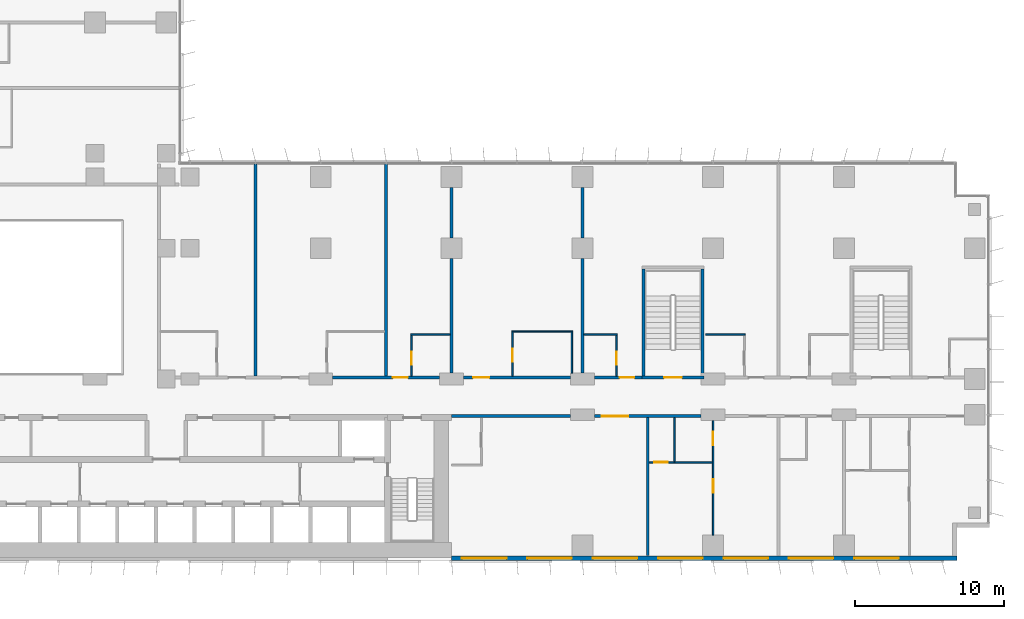
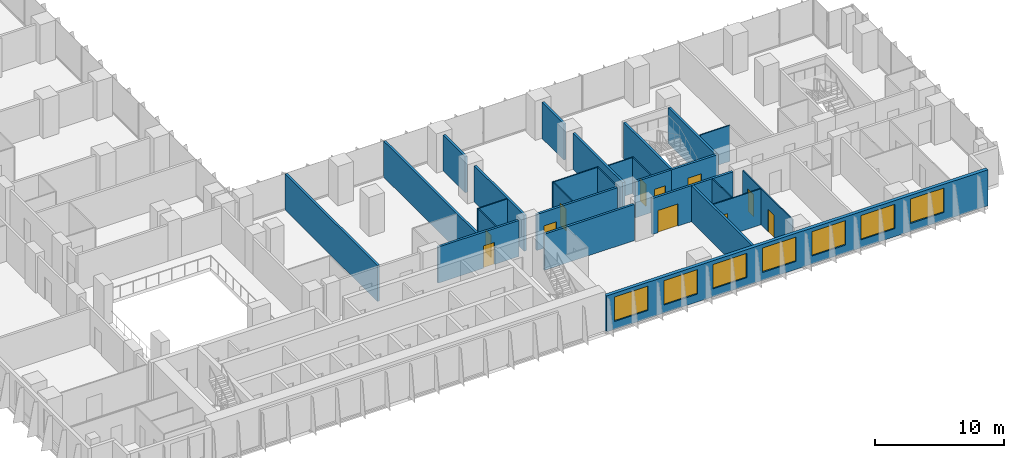
# One storey, part 14 of 24: 27 walls, 11 doors, 7 windows, 18 openings.
"""IFC4 building model written with IfcOpenShell, lengths in metres."""

from ifc_helpers import new_model, si_unit, direction, frame, frame_2d, origin, place, context, subcontext, project, spatial, rectangle, extrude, material, layer, layer_set, type_object, element, fill, save


model = new_model("IFC4")

# Units and contexts
model_context = context("Model", 3, precision=1e-05, world=origin(), true_north=direction((0.0, 1.0)))
body_context = subcontext(model_context, "Body", "Model", "MODEL_VIEW")
ifc_project = project(units=[si_unit("LENGTHUNIT", "METRE"), si_unit("AREAUNIT", "SQUARE_METRE"), si_unit("VOLUMEUNIT", "CUBIC_METRE"), si_unit("PLANEANGLEUNIT", "RADIAN"), si_unit("MASSUNIT", "GRAM", prefix="KILO")], contexts=[model_context])

# Site, building, storey
site_placement = place(None, origin())
site = spatial("IfcSite", under=ifc_project, at=site_placement, CompositionType="ELEMENT")
building_placement = place(site_placement, origin())
building = spatial("IfcBuilding", under=site, at=building_placement, Name="Kemantara Hotel Tower", CompositionType="ELEMENT")
storey_placement = place(building_placement, frame((0.0, 0.0, 76.0)))
storey = spatial("IfcBuildingStorey", under=building, at=storey_placement, Name="L17", CompositionType="ELEMENT", Elevation=76.0)

# Wall, openings, windows
ifc_material_1 = material(Name="Bronze anodised aluminium cladding on insulated steel stud wall", Category="steel")
ifc_layer_1 = layer(ifc_material_1, 0.300048828125)
ifc_layer_set_1 = layer_set([ifc_layer_1], Name="Bronze anodised aluminium cladding on insulated steel stud wall")
wall_type_1 = type_object("IfcWallType", Name="BRONZE METAL-CLAD EXTERNAL WALL 300", PredefinedType="STANDARD", material=ifc_layer_set_1)
wall_1_placement = place(storey_placement, frame((45.0, 0.14990234375, 0.0), z_axis=(0.0, 0.0, 1.0), x_axis=(1.0, 0.0, 0.0)))
wall_1 = element("IfcWall", 1, at=wall_1_placement, inside=storey, type_object=wall_type_1, Name="EXTERNAL WALL L17 T1-R01-3", PredefinedType="STANDARD", context=body_context, shape_type="SweptSolid", body=[
    extrude(rectangle(XDim=34.0, YDim=0.300048828125, at=frame_2d((17.0, 0.0))), origin(), (0.0, 0.0, 1.0), 3.39990234375),
])
opening_1_placement = place(wall_1_placement, frame((0.699951171875, 0.0, 0.75)))
opening_1 = element("IfcOpeningElement", 2, at=opening_1_placement, cuts=wall_1, Name="Opening W1", PredefinedType="OPENING", context=body_context, shape_type="SweptSolid", body=[
    extrude(rectangle(XDim=3.0, YDim=2.300048828125, at=frame_2d((1.5, 1.14990234375))), frame((0.0, 0.159912109375, 0.0), z_axis=(0.0, -1.0, 0.0), x_axis=(1.0, 0.0, 0.0)), (0.0, 0.0, 1.0), 0.320068359375),
])
opening_2_placement = place(wall_1_placement, frame((5.10009765625, 0.0, 0.75)))
opening_2 = element("IfcOpeningElement", 3, at=opening_2_placement, cuts=wall_1, Name="Opening W1", PredefinedType="OPENING", context=body_context, shape_type="SweptSolid", body=[
    extrude(rectangle(XDim=3.0, YDim=2.300048828125, at=frame_2d((1.5, 1.14990234375))), frame((0.0, 0.159912109375, 0.0), z_axis=(0.0, -1.0, 0.0), x_axis=(1.0, 0.0, 0.0)), (0.0, 0.0, 1.0), 0.320068359375),
])
opening_3_placement = place(wall_1_placement, frame((9.5, 0.0, 0.75)))
opening_3 = element("IfcOpeningElement", 4, at=opening_3_placement, cuts=wall_1, Name="Opening W1", PredefinedType="OPENING", context=body_context, shape_type="SweptSolid", body=[
    extrude(rectangle(XDim=3.0, YDim=2.300048828125, at=frame_2d((1.5, 1.14990234375))), frame((0.0, 0.159912109375, 0.0), z_axis=(0.0, -1.0, 0.0), x_axis=(1.0, 0.0, 0.0)), (0.0, 0.0, 1.0), 0.320068359375),
])
opening_4_placement = place(wall_1_placement, frame((13.89990234375, 0.0, 0.75)))
opening_4 = element("IfcOpeningElement", 5, at=opening_4_placement, cuts=wall_1, Name="Opening W1", PredefinedType="OPENING", context=body_context, shape_type="SweptSolid", body=[
    extrude(rectangle(XDim=3.0, YDim=2.300048828125, at=frame_2d((1.5, 1.14990234375))), frame((0.0, 0.159912109375, 0.0), z_axis=(0.0, -1.0, 0.0), x_axis=(1.0, 0.0, 0.0)), (0.0, 0.0, 1.0), 0.320068359375),
])
opening_5_placement = place(wall_1_placement, frame((18.300048828125, 0.0, 0.75)))
opening_5 = element("IfcOpeningElement", 6, at=opening_5_placement, cuts=wall_1, Name="Opening W1", PredefinedType="OPENING", context=body_context, shape_type="SweptSolid", body=[
    extrude(rectangle(XDim=3.0, YDim=2.300048828125, at=frame_2d((1.5, 1.14990234375))), frame((0.0, 0.159912109375, 0.0), z_axis=(0.0, -1.0, 0.0), x_axis=(1.0, 0.0, 0.0)), (0.0, 0.0, 1.0), 0.320068359375),
])
opening_6_placement = place(wall_1_placement, frame((22.699951171875, 0.0, 0.75)))
opening_6 = element("IfcOpeningElement", 7, at=opening_6_placement, cuts=wall_1, Name="Opening W1", PredefinedType="OPENING", context=body_context, shape_type="SweptSolid", body=[
    extrude(rectangle(XDim=3.0, YDim=2.300048828125, at=frame_2d((1.5, 1.14990234375))), frame((0.0, 0.159912109375, 0.0), z_axis=(0.0, -1.0, 0.0), x_axis=(1.0, 0.0, 0.0)), (0.0, 0.0, 1.0), 0.320068359375),
])
opening_7_placement = place(wall_1_placement, frame((27.10009765625, 0.0, 0.75)))
opening_7 = element("IfcOpeningElement", 8, at=opening_7_placement, cuts=wall_1, Name="Opening W1", PredefinedType="OPENING", context=body_context, shape_type="SweptSolid", body=[
    extrude(rectangle(XDim=3.0, YDim=2.300048828125, at=frame_2d((1.5, 1.14990234375))), frame((0.0, 0.159912109375, 0.0), z_axis=(0.0, -1.0, 0.0), x_axis=(1.0, 0.0, 0.0)), (0.0, 0.0, 1.0), 0.320068359375),
])
ifc_material_2 = material(Name="Low-E tinted double insulated glass in bronze anodised aluminium frame", Category="aluminium")
window_type = type_object("IfcWindowType", Name="CHICAGO WINDOW, TRIPLE PANEL 3000x2300", PartitioningType="TRIPLE_PANEL_VERTICAL", PredefinedType="WINDOW", material=ifc_material_2)
window_1_placement = place(opening_1_placement, origin())
window_1 = element("IfcWindow", 9, at=window_1_placement, inside=storey, type_object=window_type, Name="CHICAGO WINDOW L17 T1-R01-450", OverallHeight=2.300048828125, OverallWidth=3.0, PartitioningType="SINGLE_PANEL", PredefinedType="WINDOW", context=body_context, shape_type="SweptSolid", body=[
    extrude(rectangle(XDim=3.0, YDim=2.300048828125, at=frame_2d((1.5, 1.14990234375))), frame((0.0, 0.030029296875, 0.0), z_axis=(0.0, -1.0, 0.0), x_axis=(1.0, 0.0, 0.0)), (0.0, 0.0, 1.0), 0.06005859375),
])
fill(opening_1, window_1)
window_2_placement = place(opening_2_placement, origin())
window_2 = element("IfcWindow", 10, at=window_2_placement, inside=storey, type_object=window_type, Name="CHICAGO WINDOW L17 T1-R01-494", OverallHeight=2.300048828125, OverallWidth=3.0, PartitioningType="SINGLE_PANEL", PredefinedType="WINDOW", context=body_context, shape_type="SweptSolid", body=[
    extrude(rectangle(XDim=3.0, YDim=2.300048828125, at=frame_2d((1.5, 1.14990234375))), frame((0.0, 0.030029296875, 0.0), z_axis=(0.0, -1.0, 0.0), x_axis=(1.0, 0.0, 0.0)), (0.0, 0.0, 1.0), 0.06005859375),
])
fill(opening_2, window_2)
window_3_placement = place(opening_3_placement, origin())
window_3 = element("IfcWindow", 11, at=window_3_placement, inside=storey, type_object=window_type, Name="CHICAGO WINDOW L17 T1-R01-538", OverallHeight=2.300048828125, OverallWidth=3.0, PartitioningType="SINGLE_PANEL", PredefinedType="WINDOW", context=body_context, shape_type="SweptSolid", body=[
    extrude(rectangle(XDim=3.0, YDim=2.300048828125, at=frame_2d((1.5, 1.14990234375))), frame((0.0, 0.030029296875, 0.0), z_axis=(0.0, -1.0, 0.0), x_axis=(1.0, 0.0, 0.0)), (0.0, 0.0, 1.0), 0.06005859375),
])
fill(opening_3, window_3)
window_4_placement = place(opening_4_placement, origin())
window_4 = element("IfcWindow", 12, at=window_4_placement, inside=storey, type_object=window_type, Name="CHICAGO WINDOW L17 T1-R01-582", OverallHeight=2.300048828125, OverallWidth=3.0, PartitioningType="SINGLE_PANEL", PredefinedType="WINDOW", context=body_context, shape_type="SweptSolid", body=[
    extrude(rectangle(XDim=3.0, YDim=2.300048828125, at=frame_2d((1.5, 1.14990234375))), frame((0.0, 0.030029296875, 0.0), z_axis=(0.0, -1.0, 0.0), x_axis=(1.0, 0.0, 0.0)), (0.0, 0.0, 1.0), 0.06005859375),
])
fill(opening_4, window_4)
window_5_placement = place(opening_5_placement, origin())
window_5 = element("IfcWindow", 13, at=window_5_placement, inside=storey, type_object=window_type, Name="CHICAGO WINDOW L17 T1-R01-626", OverallHeight=2.300048828125, OverallWidth=3.0, PartitioningType="SINGLE_PANEL", PredefinedType="WINDOW", context=body_context, shape_type="SweptSolid", body=[
    extrude(rectangle(XDim=3.0, YDim=2.300048828125, at=frame_2d((1.5, 1.14990234375))), frame((0.0, 0.030029296875, 0.0), z_axis=(0.0, -1.0, 0.0), x_axis=(1.0, 0.0, 0.0)), (0.0, 0.0, 1.0), 0.06005859375),
])
fill(opening_5, window_5)
window_6_placement = place(opening_6_placement, origin())
window_6 = element("IfcWindow", 14, at=window_6_placement, inside=storey, type_object=window_type, Name="CHICAGO WINDOW L17 T1-R01-670", OverallHeight=2.300048828125, OverallWidth=3.0, PartitioningType="SINGLE_PANEL", PredefinedType="WINDOW", context=body_context, shape_type="SweptSolid", body=[
    extrude(rectangle(XDim=3.0, YDim=2.300048828125, at=frame_2d((1.5, 1.14990234375))), frame((0.0, 0.030029296875, 0.0), z_axis=(0.0, -1.0, 0.0), x_axis=(1.0, 0.0, 0.0)), (0.0, 0.0, 1.0), 0.06005859375),
])
fill(opening_6, window_6)
window_7_placement = place(opening_7_placement, origin())
window_7 = element("IfcWindow", 15, at=window_7_placement, inside=storey, type_object=window_type, Name="CHICAGO WINDOW L17 T1-R01-714", OverallHeight=2.300048828125, OverallWidth=3.0, PartitioningType="SINGLE_PANEL", PredefinedType="WINDOW", context=body_context, shape_type="SweptSolid", body=[
    extrude(rectangle(XDim=3.0, YDim=2.300048828125, at=frame_2d((1.5, 1.14990234375))), frame((0.0, 0.030029296875, 0.0), z_axis=(0.0, -1.0, 0.0), x_axis=(1.0, 0.0, 0.0)), (0.0, 0.0, 1.0), 0.06005859375),
])
fill(opening_7, window_7)

# Wall
ifc_material_3 = material(Name="Gypsum board partition, steel studs and mineral wool, 200 mm", Category="steel")
ifc_layer_2 = layer(ifc_material_3, 0.199951171875)
ifc_layer_set_2 = layer_set([ifc_layer_2], Name="Gypsum board partition, steel studs and mineral wool, 200 mm")
wall_type_2 = type_object("IfcWallType", Name="CORRIDOR WALL 200", PredefinedType="PARTITIONING", material=ifc_layer_set_2)
wall_2_placement = place(storey_placement, frame((45.0, 9.699951171875, 0.0), z_axis=(0.0, 0.0, 1.0), x_axis=(1.0, 0.0, 0.0)))
element("IfcWall", 16, at=wall_2_placement, inside=storey, type_object=wall_type_2, Name="CORRIDOR WALL 200 001", PredefinedType="PARTITIONING", context=body_context, shape_type="SweptSolid", body=[
    extrude(rectangle(XDim=8.0, YDim=0.199951171875, at=frame_2d((4.0, 0.0))), origin(), (0.0, 0.0, 1.0), 3.39990234375),
])

# Wall, opening, door
wall_3_placement = place(storey_placement, frame((61.7998046875, 9.699951171875, 0.0), z_axis=(0.0, 0.0, 1.0), x_axis=(-1.0, 0.0, 0.0)))
wall_3 = element("IfcWall", 17, at=wall_3_placement, inside=storey, type_object=wall_type_2, Name="CORRIDOR WALL 200 002", PredefinedType="PARTITIONING", context=body_context, shape_type="SweptSolid", body=[
    extrude(rectangle(XDim=7.19970703125, YDim=0.199951171875, at=frame_2d((3.599853515625, 0.0))), origin(), (0.0, 0.0, 1.0), 3.39990234375),
])
opening_8_placement = place(wall_3_placement, frame((4.89990234375, 0.0, 0.0)))
opening_8 = element("IfcOpeningElement", 18, at=opening_8_placement, cuts=wall_3, Name="Opening F06-001", PredefinedType="OPENING", context=body_context, shape_type="SweptSolid", body=[
    extrude(rectangle(XDim=1.800048828125, YDim=2.10009765625, at=frame_2d((0.89990234375, 1.050048828125))), frame((0.0, 0.10986328125, 0.0), z_axis=(0.0, -1.0, 0.0), x_axis=(1.0, 0.0, 0.0)), (0.0, 0.0, 1.0), 0.219970703125),
])
ifc_material_4 = material(Name="Hardwood veneer door leaf with steel frame", Category="steel")
door_type_1 = type_object("IfcDoorType", Name="GUEST ROOM DOOR 1800 X 2100 FD30S", OperationType="NOTDEFINED", PredefinedType="DOOR", material=ifc_material_4)
door_1_placement = place(opening_8_placement, origin())
door_1 = element("IfcDoor", 19, at=door_1_placement, inside=storey, type_object=door_type_1, Name="GUEST ROOM DOOR F06-001", OperationType="DOUBLE_DOOR_SINGLE_SWING", OverallHeight=2.10009765625, OverallWidth=1.800048828125, PredefinedType="DOOR", context=body_context, shape_type="SweptSolid", body=[
    extrude(rectangle(XDim=1.800048828125, YDim=2.10009765625, at=frame_2d((0.89990234375, 1.050048828125))), frame((0.0, 0.02490234375, 0.0), z_axis=(0.0, -1.0, 0.0), x_axis=(1.0, 0.0, 0.0)), (0.0, 0.0, 1.0), 0.050048828125),
])
fill(opening_8, door_1)

wall_4_placement = place(storey_placement, frame((37.0, 12.300048828125, 0.0), z_axis=(0.0, 0.0, 1.0), x_axis=(1.0, 0.0, 0.0)))
wall_4 = element("IfcWall", 20, at=wall_4_placement, inside=storey, type_object=wall_type_2, Name="CORRIDOR WALL 200 011", PredefinedType="PARTITIONING", context=body_context, shape_type="SweptSolid", body=[
    extrude(rectangle(XDim=7.199951171875, YDim=0.199951171875, at=frame_2d((3.60009765625, 0.0))), origin(), (0.0, 0.0, 1.0), 3.39990234375),
])
opening_9_placement = place(wall_4_placement, frame((4.0498046875, 0.0, 0.0)))
opening_9 = element("IfcOpeningElement", 21, at=opening_9_placement, cuts=wall_4, Name="Opening F06-017", PredefinedType="OPENING", context=body_context, shape_type="SweptSolid", body=[
    extrude(rectangle(XDim=1.0, YDim=2.10009765625, at=frame_2d((0.5, 1.050048828125))), frame((0.0, 0.10986328125, 0.0), z_axis=(0.0, -1.0, 0.0), x_axis=(1.0, 0.0, 0.0)), (0.0, 0.0, 1.0), 0.219970703125),
])
door_type_2 = type_object("IfcDoorType", Name="GUEST ROOM DOOR 1000 X 2100 FD30S", OperationType="NOTDEFINED", PredefinedType="DOOR", material=ifc_material_4)
door_2_placement = place(opening_9_placement, origin())
door_2 = element("IfcDoor", 22, at=door_2_placement, inside=storey, type_object=door_type_2, Name="GUEST ROOM DOOR F06-017", OperationType="SINGLE_SWING_LEFT", OverallHeight=2.10009765625, OverallWidth=1.0, PredefinedType="DOOR", context=body_context, shape_type="SweptSolid", body=[
    extrude(rectangle(XDim=1.0, YDim=2.10009765625, at=frame_2d((0.5, 1.050048828125))), frame((0.0, 0.02490234375, 0.0), z_axis=(0.0, -1.0, 0.0), x_axis=(1.0, 0.0, 0.0)), (0.0, 0.0, 1.0), 0.050048828125),
])
fill(opening_9, door_2)

wall_5_placement = place(storey_placement, frame((45.800048828125, 12.300048828125, 0.0), z_axis=(0.0, 0.0, 1.0), x_axis=(1.0, 0.0, 0.0)))
wall_5 = element("IfcWall", 23, at=wall_5_placement, inside=storey, type_object=wall_type_2, Name="CORRIDOR WALL 200 012", PredefinedType="PARTITIONING", context=body_context, shape_type="SweptSolid", body=[
    extrude(rectangle(XDim=7.199951171875, YDim=0.199951171875, at=frame_2d((3.60009765625, 0.0))), origin(), (0.0, 0.0, 1.0), 3.39990234375),
])
opening_10_placement = place(wall_5_placement, frame((0.64990234375, 0.0, 0.0)))
opening_10 = element("IfcOpeningElement", 24, at=opening_10_placement, cuts=wall_5, Name="Opening F06-019", PredefinedType="OPENING", context=body_context, shape_type="SweptSolid", body=[
    extrude(rectangle(XDim=1.10009765625, YDim=2.10009765625, at=frame_2d((0.550048828125, 1.050048828125))), frame((0.0, 0.10986328125, 0.0), z_axis=(0.0, -1.0, 0.0), x_axis=(1.0, 0.0, 0.0)), (0.0, 0.0, 1.0), 0.219970703125),
])
door_type_3 = type_object("IfcDoorType", Name="SUITE ENTRANCE DOOR 1100 X 2100 FD30S", OperationType="NOTDEFINED", PredefinedType="DOOR", material=ifc_material_4)
door_3_placement = place(opening_10_placement, origin())
door_3 = element("IfcDoor", 25, at=door_3_placement, inside=storey, type_object=door_type_3, Name="SUITE ENTRANCE DOOR F06-019", OperationType="SINGLE_SWING_LEFT", OverallHeight=2.10009765625, OverallWidth=1.10009765625, PredefinedType="DOOR", context=body_context, shape_type="SweptSolid", body=[
    extrude(rectangle(XDim=1.10009765625, YDim=2.10009765625, at=frame_2d((0.550048828125, 1.050048828125))), frame((0.0, 0.02490234375, 0.0), z_axis=(0.0, -1.0, 0.0), x_axis=(1.0, 0.0, 0.0)), (0.0, 0.0, 1.0), 0.050048828125),
])
fill(opening_10, door_3)

wall_6_placement = place(storey_placement, frame((54.60009765625, 12.300048828125, 0.0), z_axis=(0.0, 0.0, 1.0), x_axis=(1.0, 0.0, 0.0)))
wall_6 = element("IfcWall", 26, at=wall_6_placement, inside=storey, type_object=wall_type_2, Name="CORRIDOR WALL 200 013", PredefinedType="PARTITIONING", context=body_context, shape_type="SweptSolid", body=[
    extrude(rectangle(XDim=3.199951171875, YDim=0.199951171875, at=frame_2d((1.60009765625, 0.0))), origin(), (0.0, 0.0, 1.0), 3.39990234375),
])
opening_11_placement = place(wall_6_placement, frame((1.699951171875, 0.0, 0.0)))
opening_11 = element("IfcOpeningElement", 27, at=opening_11_placement, cuts=wall_6, Name="Opening F06-021", PredefinedType="OPENING", context=body_context, shape_type="SweptSolid", body=[
    extrude(rectangle(XDim=1.0, YDim=2.10009765625, at=frame_2d((0.5, 1.050048828125))), frame((0.0, 0.10986328125, 0.0), z_axis=(0.0, -1.0, 0.0), x_axis=(1.0, 0.0, 0.0)), (0.0, 0.0, 1.0), 0.219970703125),
])
door_4_placement = place(opening_11_placement, origin())
door_4 = element("IfcDoor", 28, at=door_4_placement, inside=storey, type_object=door_type_2, Name="GUEST ROOM DOOR F06-021", OperationType="SINGLE_SWING_RIGHT", OverallHeight=2.10009765625, OverallWidth=1.0, PredefinedType="DOOR", context=body_context, shape_type="SweptSolid", body=[
    extrude(rectangle(XDim=1.0, YDim=2.10009765625, at=frame_2d((0.5, 1.050048828125))), frame((0.0, 0.02490234375, 0.0), z_axis=(0.0, -1.0, 0.0), x_axis=(1.0, 0.0, 0.0)), (0.0, 0.0, 1.0), 0.050048828125),
])
fill(opening_11, door_4)

ifc_material_5 = material(Name="Concrete fc 40 MPa", Category="concrete")
ifc_layer_3 = layer(ifc_material_5, 0.199951171875)
ifc_layer_set_3 = layer_set([ifc_layer_3], Name="Concrete fc 40 MPa")
wall_type_3 = type_object("IfcWallType", Name="Concrete stair wall 200 mm", PredefinedType="SHEAR", material=ifc_layer_set_3)
wall_7_placement = place(storey_placement, frame((57.800048828125, 12.300048828125, 0.0), z_axis=(0.0, 0.0, 1.0), x_axis=(1.0, 0.0, 0.0)))
wall_7 = element("IfcWall", 29, at=wall_7_placement, inside=storey, type_object=wall_type_3, Name="Stair ST3 enclosure wall with door", PredefinedType="SHEAR", context=body_context, shape_type="SweptSolid", body=[
    extrude(rectangle(XDim=4.199951171875, YDim=0.199951171875, at=frame_2d((2.10009765625, 0.0))), origin(), (0.0, 0.0, 1.0), 3.39990234375),
])
opening_12_placement = place(wall_7_placement, frame((1.5, 0.0, 0.0)))
opening_12 = element("IfcOpeningElement", 30, at=opening_12_placement, cuts=wall_7, Name="Opening ST3-C", PredefinedType="OPENING", context=body_context, shape_type="SweptSolid", body=[
    extrude(rectangle(XDim=1.199951171875, YDim=2.10009765625, at=frame_2d((0.60009765625, 1.050048828125))), frame((0.0, 0.10986328125, 0.0), z_axis=(0.0, -1.0, 0.0), x_axis=(1.0, 0.0, 0.0)), (0.0, 0.0, 1.0), 0.219970703125),
])
ifc_material_6 = material(Name="Steel fire door", Category="steel")
door_type_4 = type_object("IfcDoorType", Name="Fire door FD90 1200 x 2100", OperationType="NOTDEFINED", PredefinedType="DOOR", material=ifc_material_6)
door_5_placement = place(opening_12_placement, origin())
door_5 = element("IfcDoor", 31, at=door_5_placement, inside=storey, type_object=door_type_4, Name="Stair ST3 door", OperationType="SINGLE_SWING_RIGHT", OverallHeight=2.10009765625, OverallWidth=1.199951171875, PredefinedType="DOOR", context=body_context, shape_type="SweptSolid", body=[
    extrude(rectangle(XDim=1.199951171875, YDim=2.10009765625, at=frame_2d((0.60009765625, 1.050048828125))), frame((0.0, 0.02490234375, 0.0), z_axis=(0.0, -1.0, 0.0), x_axis=(1.0, 0.0, 0.0)), (0.0, 0.0, 1.0), 0.050048828125),
])
fill(opening_12, door_5)

# Walls
for number, where, z_axis, x_axis, name in (
    (32, (57.89990234375, 12.39990234375, 0.0), (0.0, 0.0, 1.0), (0.0, 1.0, 0.0), "Stair ST3 enclosure wall W"),
    (33, (61.89990234375, 12.39990234375, 0.0), (0.0, 0.0, 1.0), (0.0, 1.0, 0.0), "Stair ST3 enclosure wall E"),
):
    element("IfcWall", number, at=place(storey_placement, frame(where, z_axis=z_axis, x_axis=x_axis)), inside=storey, type_object=wall_type_3, Name=name, PredefinedType="SHEAR", context=body_context, shape_type="SweptSolid", body=[
        extrude(rectangle(XDim=7.2001953125, YDim=0.199951171875, at=frame_2d((3.60009765625, 0.0))), origin(), (0.0, 0.0, 1.0), 3.39990234375),
    ])
ifc_layer_4 = layer(ifc_material_3, 0.199951171875)
ifc_layer_set_4 = layer_set([ifc_layer_4], Name="Gypsum board partition, steel studs and mineral wool, 200 mm")
wall_type_4 = type_object("IfcWallType", Name="GUEST ROOM PARTY WALL 200", PredefinedType="PARTITIONING", material=ifc_layer_set_4)
wall_8_placement = place(storey_placement, frame((58.199951171875, 0.31005859375, 0.0), z_axis=(0.0, 0.0, 1.0), x_axis=(0.0, 1.0, 0.0)))
element("IfcWall", 34, at=wall_8_placement, inside=storey, type_object=wall_type_4, Name="GUEST ROOM PARTY WALL 200 005", PredefinedType="PARTITIONING", context=body_context, shape_type="SweptSolid", body=[
    extrude(rectangle(XDim=9.2900390625, YDim=0.199951171875, at=frame_2d((4.64501953125, 0.0))), origin(), (0.0, 0.0, 1.0), 3.39990234375),
])
for number, where, z_axis, x_axis, name in (
    (35, (31.800048828125, 12.39990234375, 0.0), (0.0, 0.0, 1.0), (0.0, 1.0, 0.0), "GUEST ROOM PARTY WALL 200 019"),
    (36, (40.60009765625, 12.39990234375, 0.0), (0.0, 0.0, 1.0), (0.0, 1.0, 0.0), "GUEST ROOM PARTY WALL 200 020"),
):
    element("IfcWall", number, at=place(storey_placement, frame(where, z_axis=z_axis, x_axis=x_axis)), inside=storey, type_object=wall_type_4, Name=name, PredefinedType="PARTITIONING", context=body_context, shape_type="SweptSolid", body=[
        extrude(rectangle(XDim=14.27001953125, YDim=0.199951171875, at=frame_2d((7.135009765625, 0.0))), origin(), (0.0, 0.0, 1.0), 3.39990234375),
    ])
wall_9_placement = place(storey_placement, frame((45.0, 12.60009765625, 0.0), z_axis=(0.0, 0.0, 1.0), x_axis=(0.0, 1.0, 0.0)))
element("IfcWall", 37, at=wall_9_placement, inside=storey, type_object=wall_type_4, Name="GUEST ROOM PARTY WALL 200 021", PredefinedType="PARTITIONING", context=body_context, shape_type="SweptSolid", body=[
    extrude(rectangle(XDim=7.69970703125, YDim=0.199951171875, at=frame_2d((3.849853515625, 0.0))), origin(), (0.0, 0.0, 1.0), 3.39990234375),
])
wall_10_placement = place(storey_placement, frame((45.0, 21.7001953125, 0.0), z_axis=(0.0, 0.0, 1.0), x_axis=(0.0, 1.0, 0.0)))
element("IfcWall", 38, at=wall_10_placement, inside=storey, type_object=wall_type_4, Name="GUEST ROOM PARTY WALL 200 022", PredefinedType="PARTITIONING", context=body_context, shape_type="SweptSolid", body=[
    extrude(rectangle(XDim=3.399658203125, YDim=0.199951171875, at=frame_2d((1.69970703125, 0.0))), origin(), (0.0, 0.0, 1.0), 3.39990234375),
])
wall_11_placement = place(storey_placement, frame((53.800048828125, 12.60009765625, 0.0), z_axis=(0.0, 0.0, 1.0), x_axis=(0.0, 1.0, 0.0)))
element("IfcWall", 39, at=wall_11_placement, inside=storey, type_object=wall_type_4, Name="GUEST ROOM PARTY WALL 200 023", PredefinedType="PARTITIONING", context=body_context, shape_type="SweptSolid", body=[
    extrude(rectangle(XDim=7.69970703125, YDim=0.199951171875, at=frame_2d((3.849853515625, 0.0))), origin(), (0.0, 0.0, 1.0), 3.39990234375),
])
wall_12_placement = place(storey_placement, frame((53.800048828125, 21.7001953125, 0.0), z_axis=(0.0, 0.0, 1.0), x_axis=(0.0, 1.0, 0.0)))
element("IfcWall", 40, at=wall_12_placement, inside=storey, type_object=wall_type_4, Name="GUEST ROOM PARTY WALL 200 024", PredefinedType="PARTITIONING", context=body_context, shape_type="SweptSolid", body=[
    extrude(rectangle(XDim=3.399658203125, YDim=0.199951171875, at=frame_2d((1.69970703125, 0.0))), origin(), (0.0, 0.0, 1.0), 3.39990234375),
])

# Wall, opening, door
ifc_material_7 = material(Name="Gypsum board partition on steel studs, 100 mm", Category="steel")
ifc_layer_5 = layer(ifc_material_7, 0.10009765625)
ifc_layer_set_5 = layer_set([ifc_layer_5], Name="Gypsum board partition on steel studs, 100 mm")
wall_type_5 = type_object("IfcWallType", Name="ROOM PARTITION 100", PredefinedType="PARTITIONING", material=ifc_layer_set_5)
wall_13_placement = place(storey_placement, frame((58.300048828125, 6.60009765625, 0.0), z_axis=(0.0, 0.0, 1.0), x_axis=(1.0, 0.0, 0.0)))
wall_13 = element("IfcWall", 41, at=wall_13_placement, inside=storey, type_object=wall_type_5, Name="ROOM PARTITION 100 060", PredefinedType="PARTITIONING", context=body_context, shape_type="SweptSolid", body=[
    extrude(rectangle(XDim=4.25, YDim=0.10009765625, at=frame_2d((2.125, 0.0))), origin(), (0.0, 0.0, 1.0), 3.39990234375),
])
opening_13_placement = place(wall_13_placement, frame((0.35009765625, 0.0, 0.0)))
opening_13 = element("IfcOpeningElement", 42, at=opening_13_placement, cuts=wall_13, Name="Opening F06-006", PredefinedType="OPENING", context=body_context, shape_type="SweptSolid", body=[
    extrude(rectangle(XDim=0.89990234375, YDim=2.10009765625, at=frame_2d((0.449951171875, 1.050048828125))), frame((0.0, 0.06005859375, 0.0), z_axis=(0.0, -1.0, 0.0), x_axis=(1.0, 0.0, 0.0)), (0.0, 0.0, 1.0), 0.1201171875),
])
door_type_5 = type_object("IfcDoorType", Name="BATHROOM DOOR 900 X 2100", OperationType="NOTDEFINED", PredefinedType="DOOR", material=ifc_material_4)
door_6_placement = place(opening_13_placement, origin())
door_6 = element("IfcDoor", 43, at=door_6_placement, inside=storey, type_object=door_type_5, Name="BATHROOM DOOR F06-006", OperationType="SINGLE_SWING_RIGHT", OverallHeight=2.10009765625, OverallWidth=0.89990234375, PredefinedType="DOOR", context=body_context, shape_type="SweptSolid", body=[
    extrude(rectangle(XDim=0.89990234375, YDim=2.10009765625, at=frame_2d((0.449951171875, 1.050048828125))), frame((0.0, 0.02490234375, 0.0), z_axis=(0.0, -1.0, 0.0), x_axis=(1.0, 0.0, 0.0)), (0.0, 0.0, 1.0), 0.050048828125),
])
fill(opening_13, door_6)

# Wall, openings, doors
wall_14_placement = place(storey_placement, frame((62.60009765625, 1.7001953125, 0.0), z_axis=(0.0, 0.0, 1.0), x_axis=(0.0, 1.0, 0.0)))
wall_14 = element("IfcWall", 44, at=wall_14_placement, inside=storey, type_object=wall_type_5, Name="ROOM PARTITION 100 061", PredefinedType="PARTITIONING", context=body_context, shape_type="SweptSolid", body=[
    extrude(rectangle(XDim=7.69970703125, YDim=0.10009765625, at=frame_2d((3.849853515625, 0.0))), origin(), (0.0, 0.0, 1.0), 3.39990234375),
])
opening_14_placement = place(wall_14_placement, frame((6.0498046875, 0.0, 0.0)))
opening_14 = element("IfcOpeningElement", 45, at=opening_14_placement, cuts=wall_14, Name="Opening F06-004", PredefinedType="OPENING", context=body_context, shape_type="SweptSolid", body=[
    extrude(rectangle(XDim=0.89990234375, YDim=2.10009765625, at=frame_2d((0.449951171875, 1.050048828125))), frame((0.0, 0.06005859375, 0.0), z_axis=(0.0, -1.0, 0.0), x_axis=(1.0, 0.0, 0.0)), (0.0, 0.0, 1.0), 0.1201171875),
])
opening_15_placement = place(wall_14_placement, frame((2.849853515625, 0.0, 0.0)))
opening_15 = element("IfcOpeningElement", 46, at=opening_15_placement, cuts=wall_14, Name="Opening F06-005", PredefinedType="OPENING", context=body_context, shape_type="SweptSolid", body=[
    extrude(rectangle(XDim=0.89990234375, YDim=2.10009765625, at=frame_2d((0.449951171875, 1.050048828125))), frame((0.0, 0.06005859375, 0.0), z_axis=(0.0, -1.0, 0.0), x_axis=(1.0, 0.0, 0.0)), (0.0, 0.0, 1.0), 0.1201171875),
])
door_type_6 = type_object("IfcDoorType", Name="INTERNAL DOOR 900 X 2100", OperationType="NOTDEFINED", PredefinedType="DOOR", material=ifc_material_4)
door_7_placement = place(opening_15_placement, origin())
door_7 = element("IfcDoor", 47, at=door_7_placement, inside=storey, type_object=door_type_6, Name="INTERNAL DOOR F06-005", OperationType="SINGLE_SWING_RIGHT", OverallHeight=2.10009765625, OverallWidth=0.89990234375, PredefinedType="DOOR", context=body_context, shape_type="SweptSolid", body=[
    extrude(rectangle(XDim=0.89990234375, YDim=2.10009765625, at=frame_2d((0.449951171875, 1.050048828125))), frame((0.0, 0.02490234375, 0.0), z_axis=(0.0, -1.0, 0.0), x_axis=(1.0, 0.0, 0.0)), (0.0, 0.0, 1.0), 0.050048828125),
])
fill(opening_15, door_7)
door_type_7 = type_object("IfcDoorType", Name="PANTRY DOOR 900 X 2100", OperationType="NOTDEFINED", PredefinedType="DOOR", material=ifc_material_4)
door_8_placement = place(opening_14_placement, frame((0.89990234375, 0.0, 0.0), z_axis=(0.0, 0.0, 1.0), x_axis=(-1.0, 0.0, 0.0)))
door_8 = element("IfcDoor", 48, at=door_8_placement, inside=storey, type_object=door_type_7, Name="PANTRY DOOR F06-004", OperationType="SINGLE_SWING_RIGHT", OverallHeight=2.10009765625, OverallWidth=0.89990234375, PredefinedType="DOOR", context=body_context, shape_type="SweptSolid", body=[
    extrude(rectangle(XDim=0.89990234375, YDim=2.10009765625, at=frame_2d((0.449951171875, 1.050048828125))), frame((0.0, 0.02490234375, 0.0), z_axis=(0.0, -1.0, 0.0), x_axis=(1.0, 0.0, 0.0)), (0.0, 0.0, 1.0), 0.050048828125),
])
fill(opening_14, door_8)

# Walls
wall_15_placement = place(storey_placement, frame((60.0, 6.64990234375, 0.0), z_axis=(0.0, 0.0, 1.0), x_axis=(0.0, 1.0, 0.0)))
element("IfcWall", 49, at=wall_15_placement, inside=storey, type_object=wall_type_5, Name="ROOM PARTITION 100 062", PredefinedType="PARTITIONING", context=body_context, shape_type="SweptSolid", body=[
    extrude(rectangle(XDim=2.9501953125, YDim=0.10009765625, at=frame_2d((1.47509765625, 0.0))), origin(), (0.0, 0.0, 1.0), 3.39990234375),
])
wall_16_placement = place(storey_placement, frame((49.050048828125, 15.39990234375, 0.0), z_axis=(0.0, 0.0, 1.0), x_axis=(1.0, 0.0, 0.0)))
element("IfcWall", 50, at=wall_16_placement, inside=storey, type_object=wall_type_5, Name="ROOM PARTITION 100 070", PredefinedType="PARTITIONING", context=body_context, shape_type="SweptSolid", body=[
    extrude(rectangle(XDim=4.099853515625, YDim=0.10009765625, at=frame_2d((2.0498046875, 0.0))), origin(), (0.0, 0.0, 1.0), 3.39990234375),
])
wall_17_placement = place(storey_placement, frame((42.25, 15.199951171875, 0.0), z_axis=(0.0, 0.0, 1.0), x_axis=(1.0, 0.0, 0.0)))
element("IfcWall", 51, at=wall_17_placement, inside=storey, type_object=wall_type_5, Name="ROOM PARTITION 100 073", PredefinedType="PARTITIONING", context=body_context, shape_type="SweptSolid", body=[
    extrude(rectangle(XDim=2.64990234375, YDim=0.10009765625, at=frame_2d((1.324951171875, 0.0))), origin(), (0.0, 0.0, 1.0), 3.39990234375),
])
wall_18_placement = place(storey_placement, frame((53.89990234375, 15.199951171875, 0.0), z_axis=(0.0, 0.0, 1.0), x_axis=(1.0, 0.0, 0.0)))
element("IfcWall", 52, at=wall_18_placement, inside=storey, type_object=wall_type_5, Name="ROOM PARTITION 100 074", PredefinedType="PARTITIONING", context=body_context, shape_type="SweptSolid", body=[
    extrude(rectangle(XDim=2.25, YDim=0.10009765625, at=frame_2d((1.125, 0.0))), origin(), (0.0, 0.0, 1.0), 3.39990234375),
])
wall_19_placement = place(storey_placement, frame((62.10009765625, 15.199951171875, 0.0), z_axis=(0.0, 0.0, 1.0), x_axis=(1.0, 0.0, 0.0)))
element("IfcWall", 53, at=wall_19_placement, inside=storey, type_object=wall_type_5, Name="ROOM PARTITION 100 075", PredefinedType="PARTITIONING", context=body_context, shape_type="SweptSolid", body=[
    extrude(rectangle(XDim=2.64990234375, YDim=0.10009765625, at=frame_2d((1.324951171875, 0.0))), origin(), (0.0, 0.0, 1.0), 3.39990234375),
])

# Wall, opening, door
wall_20_placement = place(storey_placement, frame((42.300048828125, 15.14990234375, 0.0), z_axis=(0.0, 0.0, 1.0), x_axis=(0.0, -1.0, 0.0)))
wall_20 = element("IfcWall", 54, at=wall_20_placement, inside=storey, type_object=wall_type_5, Name="ROOM PARTITION 100 077", PredefinedType="PARTITIONING", context=body_context, shape_type="SweptSolid", body=[
    extrude(rectangle(XDim=2.75, YDim=0.10009765625, at=frame_2d((1.375, 0.0))), origin(), (0.0, 0.0, 1.0), 3.39990234375),
])
opening_16_placement = place(wall_20_placement, frame((1.10009765625, 0.0, 0.0)))
opening_16 = element("IfcOpeningElement", 55, at=opening_16_placement, cuts=wall_20, Name="Opening F06-018", PredefinedType="OPENING", context=body_context, shape_type="SweptSolid", body=[
    extrude(rectangle(XDim=0.89990234375, YDim=2.10009765625, at=frame_2d((0.449951171875, 1.050048828125))), frame((0.0, 0.06005859375, 0.0), z_axis=(0.0, -1.0, 0.0), x_axis=(1.0, 0.0, 0.0)), (0.0, 0.0, 1.0), 0.1201171875),
])
door_9_placement = place(opening_16_placement, origin())
door_9 = element("IfcDoor", 56, at=door_9_placement, inside=storey, type_object=door_type_5, Name="BATHROOM DOOR F06-018", OperationType="SINGLE_SWING_RIGHT", OverallHeight=2.10009765625, OverallWidth=0.89990234375, PredefinedType="DOOR", context=body_context, shape_type="SweptSolid", body=[
    extrude(rectangle(XDim=0.89990234375, YDim=2.10009765625, at=frame_2d((0.449951171875, 1.050048828125))), frame((0.0, 0.02490234375, 0.0), z_axis=(0.0, -1.0, 0.0), x_axis=(1.0, 0.0, 0.0)), (0.0, 0.0, 1.0), 0.050048828125),
])
fill(opening_16, door_9)

wall_21_placement = place(storey_placement, frame((49.10009765625, 15.35009765625, 0.0), z_axis=(0.0, 0.0, 1.0), x_axis=(0.0, -1.0, 0.0)))
wall_21 = element("IfcWall", 57, at=wall_21_placement, inside=storey, type_object=wall_type_5, Name="ROOM PARTITION 100 078", PredefinedType="PARTITIONING", context=body_context, shape_type="SweptSolid", body=[
    extrude(rectangle(XDim=2.9501953125, YDim=0.10009765625, at=frame_2d((1.47509765625, 0.0))), origin(), (0.0, 0.0, 1.0), 3.39990234375),
])
opening_17_placement = place(wall_21_placement, frame((1.10009765625, 0.0, 0.0)))
opening_17 = element("IfcOpeningElement", 58, at=opening_17_placement, cuts=wall_21, Name="Opening F06-020", PredefinedType="OPENING", context=body_context, shape_type="SweptSolid", body=[
    extrude(rectangle(XDim=0.89990234375, YDim=2.10009765625, at=frame_2d((0.449951171875, 1.050048828125))), frame((0.0, 0.06005859375, 0.0), z_axis=(0.0, -1.0, 0.0), x_axis=(1.0, 0.0, 0.0)), (0.0, 0.0, 1.0), 0.1201171875),
])
door_10_placement = place(opening_17_placement, origin())
door_10 = element("IfcDoor", 59, at=door_10_placement, inside=storey, type_object=door_type_5, Name="BATHROOM DOOR F06-020", OperationType="SINGLE_SWING_RIGHT", OverallHeight=2.10009765625, OverallWidth=0.89990234375, PredefinedType="DOOR", context=body_context, shape_type="SweptSolid", body=[
    extrude(rectangle(XDim=0.89990234375, YDim=2.10009765625, at=frame_2d((0.449951171875, 1.050048828125))), frame((0.0, 0.02490234375, 0.0), z_axis=(0.0, -1.0, 0.0), x_axis=(1.0, 0.0, 0.0)), (0.0, 0.0, 1.0), 0.050048828125),
])
fill(opening_17, door_10)

# Wall
wall_22_placement = place(storey_placement, frame((53.10009765625, 12.60009765625, 0.0), z_axis=(0.0, 0.0, 1.0), x_axis=(0.0, 1.0, 0.0)))
element("IfcWall", 60, at=wall_22_placement, inside=storey, type_object=wall_type_5, Name="ROOM PARTITION 100 079", PredefinedType="PARTITIONING", context=body_context, shape_type="SweptSolid", body=[
    extrude(rectangle(XDim=2.75, YDim=0.10009765625, at=frame_2d((1.375, 0.0))), origin(), (0.0, 0.0, 1.0), 3.39990234375),
])

# Wall, opening, door
wall_23_placement = place(storey_placement, frame((56.10009765625, 12.39990234375, 0.0), z_axis=(0.0, 0.0, 1.0), x_axis=(0.0, 1.0, 0.0)))
wall_23 = element("IfcWall", 61, at=wall_23_placement, inside=storey, type_object=wall_type_5, Name="ROOM PARTITION 100 080", PredefinedType="PARTITIONING", context=body_context, shape_type="SweptSolid", body=[
    extrude(rectangle(XDim=2.75, YDim=0.10009765625, at=frame_2d((1.375, 0.0))), origin(), (0.0, 0.0, 1.0), 3.39990234375),
])
opening_18_placement = place(wall_23_placement, frame((0.75, 0.0, 0.0)))
opening_18 = element("IfcOpeningElement", 62, at=opening_18_placement, cuts=wall_23, Name="Opening F06-022", PredefinedType="OPENING", context=body_context, shape_type="SweptSolid", body=[
    extrude(rectangle(XDim=0.89990234375, YDim=2.10009765625, at=frame_2d((0.449951171875, 1.050048828125))), frame((0.0, 0.06005859375, 0.0), z_axis=(0.0, -1.0, 0.0), x_axis=(1.0, 0.0, 0.0)), (0.0, 0.0, 1.0), 0.1201171875),
])
door_11_placement = place(opening_18_placement, origin())
door_11 = element("IfcDoor", 63, at=door_11_placement, inside=storey, type_object=door_type_5, Name="BATHROOM DOOR F06-022", OperationType="SINGLE_SWING_LEFT", OverallHeight=2.10009765625, OverallWidth=0.89990234375, PredefinedType="DOOR", context=body_context, shape_type="SweptSolid", body=[
    extrude(rectangle(XDim=0.89990234375, YDim=2.10009765625, at=frame_2d((0.449951171875, 1.050048828125))), frame((0.0, 0.02490234375, 0.0), z_axis=(0.0, -1.0, 0.0), x_axis=(1.0, 0.0, 0.0)), (0.0, 0.0, 1.0), 0.050048828125),
])
fill(opening_18, door_11)

save(model, "model.ifc")
